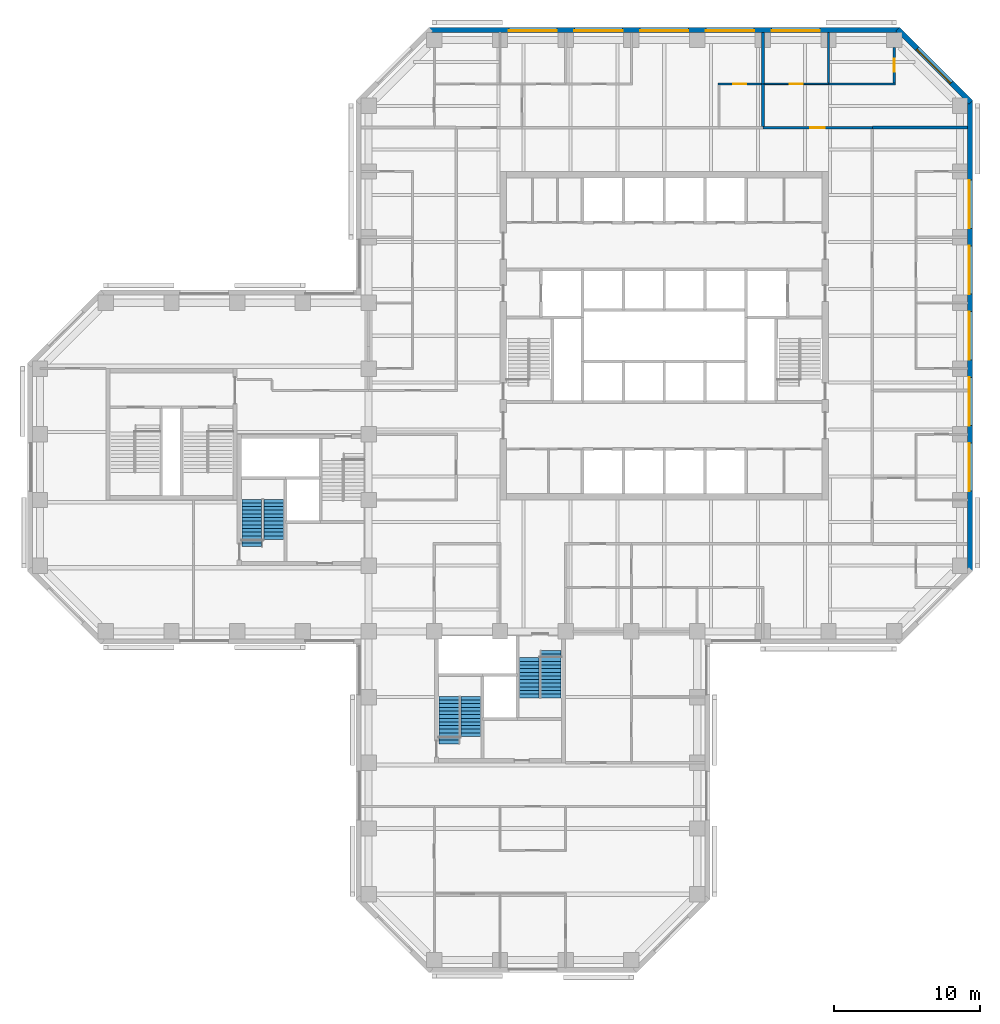
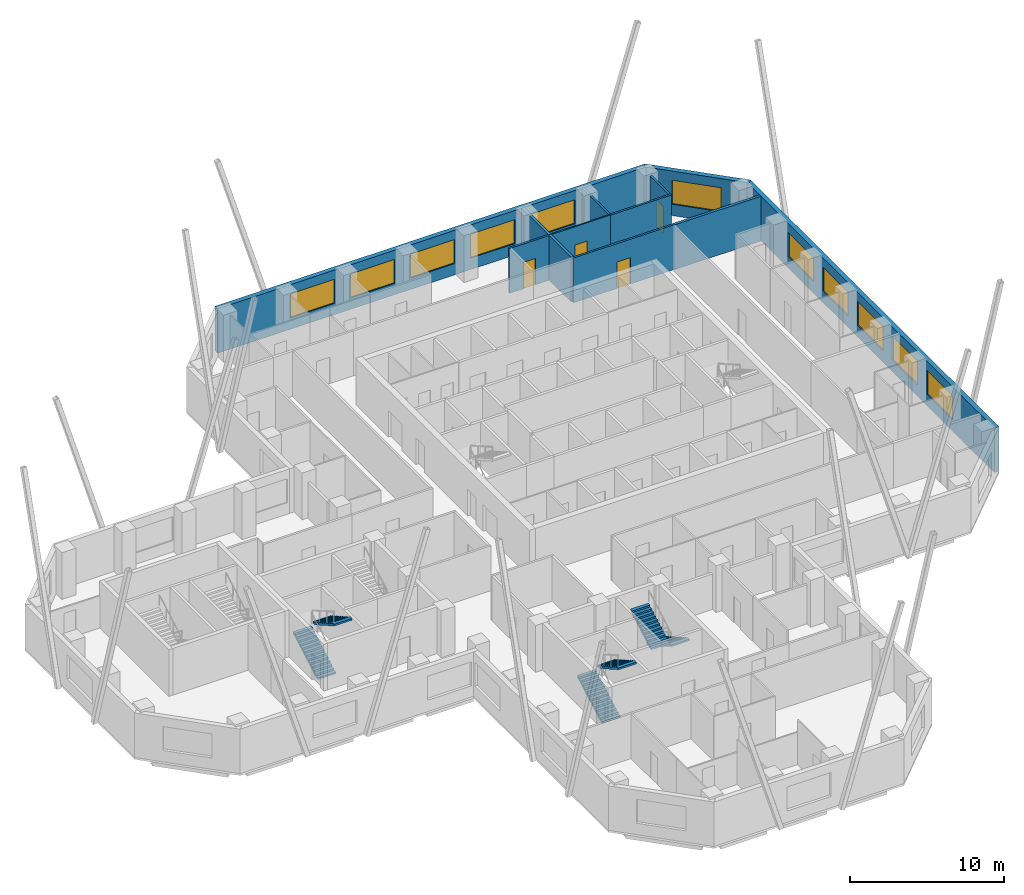
# One storey, part 9 of 11: 12 walls, 11 windows, 6 stair flights, 4 doors, 15 openings, 3 elements without a shape of their own.
"""IFC4 building model written with IfcOpenShell, lengths in metres."""

from ifc_helpers import new_model, si_unit, direction, frame, frame_2d, origin, place, context, subcontext, project, spatial, polyline, rectangle, outline, extrude, material, layer, layer_set, constituent, constituent_set, type_object, element, fill, aggregate, save


model = new_model("IFC4")

# Units and contexts
model_context = context("Model", 3, precision=1e-05, world=origin(), true_north=direction((0.0, 1.0)))
body_context = subcontext(model_context, "Body", "Model", "MODEL_VIEW")
ifc_project = project(units=[si_unit("LENGTHUNIT", "METRE"), si_unit("AREAUNIT", "SQUARE_METRE"), si_unit("VOLUMEUNIT", "CUBIC_METRE"), si_unit("PLANEANGLEUNIT", "RADIAN"), si_unit("MASSUNIT", "GRAM", prefix="KILO")], contexts=[model_context])

# Site, building, storey
site_placement = place(None, origin())
site = spatial("IfcSite", under=ifc_project, at=site_placement, CompositionType="ELEMENT")
building_placement = place(site_placement, origin())
building = spatial("IfcBuilding", under=site, at=building_placement, Name="Quoin Convention Tower", CompositionType="ELEMENT")
storey_placement = place(building_placement, frame((0.0, 0.0, 112.199951171875)))
storey = spatial("IfcBuildingStorey", under=building, at=storey_placement, Name="L29", CompositionType="ELEMENT", Elevation=112.199951171875)

# Walls
ifc_material_1 = material(Name="Plasterboard")
ifc_layer_1 = layer(ifc_material_1, 0.012451171875, Name="Finish")
ifc_material_2 = material(Name="Steel stud framing", Category="steel")
ifc_layer_2 = layer(ifc_material_2, 0.125, Name="Structure")
ifc_layer_3 = layer(ifc_material_1, 0.012451171875, Name="Finish")
ifc_layer_set_1 = layer_set([ifc_layer_1, ifc_layer_2, ifc_layer_3], Name="Steel stud framing")
wall_type_1 = type_object("IfcWallType", Name="Acoustic partition 150", PredefinedType="PARTITIONING", material=ifc_layer_set_1)
wall_1_placement = place(storey_placement, frame((67.5, 78.0, 0.0), z_axis=(0.0, 0.0, 1.0), x_axis=(1.0, 0.0, 0.0)))
element("IfcWall", 1, at=wall_1_placement, inside=storey, type_object=wall_type_1, Name="pw-L29-062", PredefinedType="PARTITIONING", context=body_context, shape_type="SweptSolid", body=[
    extrude(rectangle(XDim=4.574951171875, YDim=0.14990234375, at=frame_2d((2.28759765625, 0.0))), origin(), (0.0, 0.0, 1.0), 3.550048828125),
])
wall_2_placement = place(storey_placement, frame((67.5, 78.074951171875, 0.0), z_axis=(0.0, 0.0, 1.0), x_axis=(0.0, 1.0, 0.0)))
element("IfcWall", 2, at=wall_2_placement, inside=storey, type_object=wall_type_1, Name="pw-L29-119", PredefinedType="PARTITIONING", context=body_context, shape_type="SweptSolid", body=[
    extrude(rectangle(XDim=3.449951171875, YDim=0.14990234375, at=frame_2d((1.72509765625, 0.0))), origin(), (0.0, 0.0, 1.0), 3.550048828125),
])

# Wall, opening, door
wall_3_placement = place(storey_placement, frame((72.0, 78.074951171875, 0.0), z_axis=(0.0, 0.0, 1.0), x_axis=(0.0, 1.0, 0.0)))
wall_3 = element("IfcWall", 3, at=wall_3_placement, inside=storey, type_object=wall_type_1, Name="pw-L29-120", PredefinedType="PARTITIONING", context=body_context, shape_type="SweptSolid", body=[
    extrude(rectangle(XDim=2.400146484375, YDim=0.14990234375, at=frame_2d((1.2001953125, 0.0))), origin(), (0.0, 0.0, 1.0), 3.550048828125),
])
opening_1_placement = place(wall_3_placement, frame((0.75, 0.0, 0.0)))
opening_1 = element("IfcOpeningElement", 4, at=opening_1_placement, cuts=wall_3, Name="Opening DOL5-38", PredefinedType="OPENING", context=body_context, shape_type="SweptSolid", body=[
    extrude(rectangle(XDim=0.89990234375, YDim=2.10009765625, at=frame_2d((0.449951171875, 1.050048828125))), frame((0.0, 0.0849609375, 0.0), z_axis=(0.0, -1.0, 0.0), x_axis=(1.0, 0.0, 0.0)), (0.0, 0.0, 1.0), 0.169921875),
])
ifc_material_3 = material(Name="Steel door leaf", Category="steel")
door_type_1 = type_object("IfcDoorType", Name="Office door 900 x 2100", OperationType="SINGLE_SWING_RIGHT", PredefinedType="DOOR", material=ifc_material_3)
door_1_placement = place(opening_1_placement, frame((0.89990234375, 0.0, 0.0), z_axis=(0.0, 0.0, 1.0), x_axis=(-1.0, 0.0, 0.0)))
door_1 = element("IfcDoor", 5, at=door_1_placement, inside=storey, type_object=door_type_1, Name="dr-L29-48", OperationType="SINGLE_SWING_LEFT", OverallHeight=2.10009765625, OverallWidth=0.89990234375, PredefinedType="DOOR", context=body_context, shape_type="SweptSolid", body=[
    extrude(rectangle(XDim=0.89990234375, YDim=2.10009765625, at=frame_2d((0.449951171875, 1.050048828125))), frame((0.0, 0.02490234375, 0.0), z_axis=(0.0, -1.0, 0.0), x_axis=(1.0, 0.0, 0.0)), (0.0, 0.0, 1.0), 0.050048828125),
])
fill(opening_1, door_1)

# Wall, openings, windows
ifc_material_4 = material(Name="Brick masonry", Category="masonry")
ifc_layer_4 = layer(ifc_material_4, 0.35009765625)
ifc_layer_set_2 = layer_set([ifc_layer_4], Name="Brick masonry")
wall_type_2 = type_object("IfcWallType", Name="Brick facade wall", PredefinedType="STANDARD", material=ifc_layer_set_2)
wall_4_placement = place(storey_placement, frame((77.199951171875, 44.6376953125, 0.0), z_axis=(0.0, 0.0, 1.0), x_axis=(0.0, 1.0, 0.0)))
wall_4 = element("IfcWall", 6, at=wall_4_placement, inside=storey, type_object=wall_type_2, Name="fw-L29-76500_45000", PredefinedType="STANDARD", context=body_context, shape_type="SweptSolid", body=[
    extrude(rectangle(XDim=32.224609375, YDim=0.35009765625, at=frame_2d((16.1123046875, 0.0))), origin(), (0.0, 0.0, 1.0), 3.525146484375),
])
opening_2_placement = place(wall_4_placement, frame((5.46240234375, 0.0, 0.89990234375)))
opening_2 = element("IfcOpeningElement", 7, at=opening_2_placement, cuts=wall_4, Name="Opening W-02", PredefinedType="OPENING", context=body_context, shape_type="SweptSolid", body=[
    extrude(rectangle(XDim=3.300048828125, YDim=1.89990234375, at=frame_2d((1.64990234375, 0.949951171875))), frame((0.0, 0.18505859375, 0.0), z_axis=(0.0, -1.0, 0.0), x_axis=(1.0, 0.0, 0.0)), (0.0, 0.0, 1.0), 0.3701171875),
])
opening_3_placement = place(wall_4_placement, frame((9.96240234375, 0.0, 0.89990234375)))
opening_3 = element("IfcOpeningElement", 8, at=opening_3_placement, cuts=wall_4, Name="Opening W-02", PredefinedType="OPENING", context=body_context, shape_type="SweptSolid", body=[
    extrude(rectangle(XDim=3.300048828125, YDim=1.89990234375, at=frame_2d((1.64990234375, 0.949951171875))), frame((0.0, 0.18505859375, 0.0), z_axis=(0.0, -1.0, 0.0), x_axis=(1.0, 0.0, 0.0)), (0.0, 0.0, 1.0), 0.3701171875),
])
opening_4_placement = place(wall_4_placement, frame((14.46240234375, 0.0, 0.89990234375)))
opening_4 = element("IfcOpeningElement", 9, at=opening_4_placement, cuts=wall_4, Name="Opening W-02", PredefinedType="OPENING", context=body_context, shape_type="SweptSolid", body=[
    extrude(rectangle(XDim=3.300048828125, YDim=1.89990234375, at=frame_2d((1.64990234375, 0.949951171875))), frame((0.0, 0.18505859375, 0.0), z_axis=(0.0, -1.0, 0.0), x_axis=(1.0, 0.0, 0.0)), (0.0, 0.0, 1.0), 0.3701171875),
])
opening_5_placement = place(wall_4_placement, frame((18.96240234375, 0.0, 0.89990234375)))
opening_5 = element("IfcOpeningElement", 10, at=opening_5_placement, cuts=wall_4, Name="Opening W-02", PredefinedType="OPENING", context=body_context, shape_type="SweptSolid", body=[
    extrude(rectangle(XDim=3.300048828125, YDim=1.89990234375, at=frame_2d((1.64990234375, 0.949951171875))), frame((0.0, 0.18505859375, 0.0), z_axis=(0.0, -1.0, 0.0), x_axis=(1.0, 0.0, 0.0)), (0.0, 0.0, 1.0), 0.3701171875),
])
opening_6_placement = place(wall_4_placement, frame((23.46240234375, 0.0, 0.89990234375)))
opening_6 = element("IfcOpeningElement", 11, at=opening_6_placement, cuts=wall_4, Name="Opening W-02", PredefinedType="OPENING", context=body_context, shape_type="SweptSolid", body=[
    extrude(rectangle(XDim=3.300048828125, YDim=1.89990234375, at=frame_2d((1.64990234375, 0.949951171875))), frame((0.0, 0.18505859375, 0.0), z_axis=(0.0, -1.0, 0.0), x_axis=(1.0, 0.0, 0.0)), (0.0, 0.0, 1.0), 0.3701171875),
])
ifc_material_5 = material(Name="Aluminium", Category="aluminium")
ifc_constituent_1 = constituent(ifc_material_5, Name="Frame")
ifc_material_6 = material(Name="Insulated glass", Category="glass")
ifc_constituent_2 = constituent(ifc_material_6, Name="Glazing")
ifc_constituent_set = constituent_set(constituents=[ifc_constituent_1, ifc_constituent_2], Name="Aluminium")
window_type = type_object("IfcWindowType", Name="Office window", PartitioningType="DOUBLE_PANEL_VERTICAL", PredefinedType="WINDOW", material=ifc_constituent_set)
window_1_placement = place(opening_2_placement, origin())
window_1 = element("IfcWindow", 12, at=window_1_placement, inside=storey, type_object=window_type, Name="win-L29-77200_51750", OverallHeight=1.89990234375, OverallWidth=3.300048828125, PartitioningType="SINGLE_PANEL", PredefinedType="WINDOW", context=body_context, shape_type="SweptSolid", body=[
    extrude(rectangle(XDim=3.300048828125, YDim=1.89990234375, at=frame_2d((1.64990234375, 0.949951171875))), frame((0.0, 0.0849609375, 0.0), z_axis=(0.0, -1.0, 0.0), x_axis=(1.0, 0.0, 0.0)), (0.0, 0.0, 1.0), 0.06005859375),
])
fill(opening_2, window_1)
window_2_placement = place(opening_3_placement, origin())
window_2 = element("IfcWindow", 13, at=window_2_placement, inside=storey, type_object=window_type, Name="win-L29-77200_56250", OverallHeight=1.89990234375, OverallWidth=3.300048828125, PartitioningType="SINGLE_PANEL", PredefinedType="WINDOW", context=body_context, shape_type="SweptSolid", body=[
    extrude(rectangle(XDim=3.300048828125, YDim=1.89990234375, at=frame_2d((1.64990234375, 0.949951171875))), frame((0.0, 0.0849609375, 0.0), z_axis=(0.0, -1.0, 0.0), x_axis=(1.0, 0.0, 0.0)), (0.0, 0.0, 1.0), 0.06005859375),
])
fill(opening_3, window_2)
window_3_placement = place(opening_4_placement, origin())
window_3 = element("IfcWindow", 14, at=window_3_placement, inside=storey, type_object=window_type, Name="win-L29-77200_60750", OverallHeight=1.89990234375, OverallWidth=3.300048828125, PartitioningType="SINGLE_PANEL", PredefinedType="WINDOW", context=body_context, shape_type="SweptSolid", body=[
    extrude(rectangle(XDim=3.300048828125, YDim=1.89990234375, at=frame_2d((1.64990234375, 0.949951171875))), frame((0.0, 0.0849609375, 0.0), z_axis=(0.0, -1.0, 0.0), x_axis=(1.0, 0.0, 0.0)), (0.0, 0.0, 1.0), 0.06005859375),
])
fill(opening_4, window_3)
window_4_placement = place(opening_5_placement, origin())
window_4 = element("IfcWindow", 15, at=window_4_placement, inside=storey, type_object=window_type, Name="win-L29-77200_65250", OverallHeight=1.89990234375, OverallWidth=3.300048828125, PartitioningType="SINGLE_PANEL", PredefinedType="WINDOW", context=body_context, shape_type="SweptSolid", body=[
    extrude(rectangle(XDim=3.300048828125, YDim=1.89990234375, at=frame_2d((1.64990234375, 0.949951171875))), frame((0.0, 0.0849609375, 0.0), z_axis=(0.0, -1.0, 0.0), x_axis=(1.0, 0.0, 0.0)), (0.0, 0.0, 1.0), 0.06005859375),
])
fill(opening_5, window_4)
window_5_placement = place(opening_6_placement, origin())
window_5 = element("IfcWindow", 16, at=window_5_placement, inside=storey, type_object=window_type, Name="win-L29-77200_69750", OverallHeight=1.89990234375, OverallWidth=3.300048828125, PartitioningType="SINGLE_PANEL", PredefinedType="WINDOW", context=body_context, shape_type="SweptSolid", body=[
    extrude(rectangle(XDim=3.300048828125, YDim=1.89990234375, at=frame_2d((1.64990234375, 0.949951171875))), frame((0.0, 0.0849609375, 0.0), z_axis=(0.0, -1.0, 0.0), x_axis=(1.0, 0.0, 0.0)), (0.0, 0.0, 1.0), 0.06005859375),
])
fill(opening_6, window_5)

# Wall, opening, window
wall_5_placement = place(storey_placement, frame((77.251220703125, 76.73876953125, 0.0), z_axis=(0.0, 0.0, 1.0), x_axis=(-0.707106781187, 0.707106781187, 0.0)))
wall_5 = element("IfcWall", 17, at=wall_5_placement, inside=storey, type_object=wall_type_2, Name="fw-L29-76500_76500", PredefinedType="STANDARD", context=body_context, shape_type="SweptSolid", body=[
    extrude(rectangle(XDim=7.088623046875, YDim=0.35009765625, at=frame_2d((3.54443359375, 0.0))), origin(), (0.0, 0.0, 1.0), 3.525146484375),
])
opening_7_placement = place(wall_5_placement, frame((1.894287109375, 0.0, 0.89990234375)))
opening_7 = element("IfcOpeningElement", 18, at=opening_7_placement, cuts=wall_5, Name="Opening W-02", PredefinedType="OPENING", context=body_context, shape_type="SweptSolid", body=[
    extrude(rectangle(XDim=3.300048828125, YDim=1.89990234375, at=frame_2d((1.64990234375, 0.949951171875))), frame((0.0, 0.18505859375, 0.0), z_axis=(0.0, -1.0, 0.0), x_axis=(1.0, 0.0, 0.0)), (0.0, 0.0, 1.0), 0.3701171875),
])
window_6_placement = place(opening_7_placement, origin())
window_6 = element("IfcWindow", 19, at=window_6_placement, inside=storey, type_object=window_type, Name="win-L29-74745_79245", OverallHeight=1.89990234375, OverallWidth=3.300048828125, PartitioningType="SINGLE_PANEL", PredefinedType="WINDOW", context=body_context, shape_type="SweptSolid", body=[
    extrude(rectangle(XDim=3.300048828125, YDim=1.89990234375, at=frame_2d((1.64990234375, 0.949951171875))), frame((0.0, 0.0849609375, 0.0), z_axis=(0.0, -1.0, 0.0), x_axis=(1.0, 0.0, 0.0)), (0.0, 0.0, 1.0), 0.06005859375),
])
fill(opening_7, window_6)

# Wall, openings, windows
wall_6_placement = place(storey_placement, frame((72.3623046875, 81.699951171875, 0.0), z_axis=(0.0, 0.0, 1.0), x_axis=(-1.0, 0.0, 0.0)))
wall_6 = element("IfcWall", 20, at=wall_6_placement, inside=storey, type_object=wall_type_2, Name="fw-L29-72000_81000", PredefinedType="STANDARD", context=body_context, shape_type="SweptSolid", body=[
    extrude(rectangle(XDim=32.224609375, YDim=0.35009765625, at=frame_2d((16.1123046875, 0.0))), origin(), (0.0, 0.0, 1.0), 3.525146484375),
])
opening_8_placement = place(wall_6_placement, frame((5.46240234375, 0.0, 0.89990234375)))
opening_8 = element("IfcOpeningElement", 21, at=opening_8_placement, cuts=wall_6, Name="Opening W-02", PredefinedType="OPENING", context=body_context, shape_type="SweptSolid", body=[
    extrude(rectangle(XDim=3.300048828125, YDim=1.89990234375, at=frame_2d((1.64990234375, 0.949951171875))), frame((0.0, 0.18505859375, 0.0), z_axis=(0.0, -1.0, 0.0), x_axis=(1.0, 0.0, 0.0)), (0.0, 0.0, 1.0), 0.3701171875),
])
opening_9_placement = place(wall_6_placement, frame((9.96240234375, 0.0, 0.89990234375)))
opening_9 = element("IfcOpeningElement", 22, at=opening_9_placement, cuts=wall_6, Name="Opening W-02", PredefinedType="OPENING", context=body_context, shape_type="SweptSolid", body=[
    extrude(rectangle(XDim=3.300048828125, YDim=1.89990234375, at=frame_2d((1.64990234375, 0.949951171875))), frame((0.0, 0.18505859375, 0.0), z_axis=(0.0, -1.0, 0.0), x_axis=(1.0, 0.0, 0.0)), (0.0, 0.0, 1.0), 0.3701171875),
])
opening_10_placement = place(wall_6_placement, frame((14.46240234375, 0.0, 0.89990234375)))
opening_10 = element("IfcOpeningElement", 23, at=opening_10_placement, cuts=wall_6, Name="Opening W-02", PredefinedType="OPENING", context=body_context, shape_type="SweptSolid", body=[
    extrude(rectangle(XDim=3.300048828125, YDim=1.89990234375, at=frame_2d((1.64990234375, 0.949951171875))), frame((0.0, 0.18505859375, 0.0), z_axis=(0.0, -1.0, 0.0), x_axis=(1.0, 0.0, 0.0)), (0.0, 0.0, 1.0), 0.3701171875),
])
opening_11_placement = place(wall_6_placement, frame((18.96240234375, 0.0, 0.89990234375)))
opening_11 = element("IfcOpeningElement", 24, at=opening_11_placement, cuts=wall_6, Name="Opening W-02", PredefinedType="OPENING", context=body_context, shape_type="SweptSolid", body=[
    extrude(rectangle(XDim=3.300048828125, YDim=1.89990234375, at=frame_2d((1.64990234375, 0.949951171875))), frame((0.0, 0.18505859375, 0.0), z_axis=(0.0, -1.0, 0.0), x_axis=(1.0, 0.0, 0.0)), (0.0, 0.0, 1.0), 0.3701171875),
])
opening_12_placement = place(wall_6_placement, frame((23.46240234375, 0.0, 0.89990234375)))
opening_12 = element("IfcOpeningElement", 25, at=opening_12_placement, cuts=wall_6, Name="Opening W-02", PredefinedType="OPENING", context=body_context, shape_type="SweptSolid", body=[
    extrude(rectangle(XDim=3.300048828125, YDim=1.89990234375, at=frame_2d((1.64990234375, 0.949951171875))), frame((0.0, 0.18505859375, 0.0), z_axis=(0.0, -1.0, 0.0), x_axis=(1.0, 0.0, 0.0)), (0.0, 0.0, 1.0), 0.3701171875),
])
window_7_placement = place(opening_8_placement, origin())
window_7 = element("IfcWindow", 26, at=window_7_placement, inside=storey, type_object=window_type, Name="win-L29-65250_81700", OverallHeight=1.89990234375, OverallWidth=3.300048828125, PartitioningType="SINGLE_PANEL", PredefinedType="WINDOW", context=body_context, shape_type="SweptSolid", body=[
    extrude(rectangle(XDim=3.300048828125, YDim=1.89990234375, at=frame_2d((1.64990234375, 0.949951171875))), frame((0.0, 0.0849609375, 0.0), z_axis=(0.0, -1.0, 0.0), x_axis=(1.0, 0.0, 0.0)), (0.0, 0.0, 1.0), 0.06005859375),
])
fill(opening_8, window_7)
window_8_placement = place(opening_9_placement, origin())
window_8 = element("IfcWindow", 27, at=window_8_placement, inside=storey, type_object=window_type, Name="win-L29-60750_81700", OverallHeight=1.89990234375, OverallWidth=3.300048828125, PartitioningType="SINGLE_PANEL", PredefinedType="WINDOW", context=body_context, shape_type="SweptSolid", body=[
    extrude(rectangle(XDim=3.300048828125, YDim=1.89990234375, at=frame_2d((1.64990234375, 0.949951171875))), frame((0.0, 0.0849609375, 0.0), z_axis=(0.0, -1.0, 0.0), x_axis=(1.0, 0.0, 0.0)), (0.0, 0.0, 1.0), 0.06005859375),
])
fill(opening_9, window_8)
window_9_placement = place(opening_10_placement, origin())
window_9 = element("IfcWindow", 28, at=window_9_placement, inside=storey, type_object=window_type, Name="win-L29-56250_81700", OverallHeight=1.89990234375, OverallWidth=3.300048828125, PartitioningType="SINGLE_PANEL", PredefinedType="WINDOW", context=body_context, shape_type="SweptSolid", body=[
    extrude(rectangle(XDim=3.300048828125, YDim=1.89990234375, at=frame_2d((1.64990234375, 0.949951171875))), frame((0.0, 0.0849609375, 0.0), z_axis=(0.0, -1.0, 0.0), x_axis=(1.0, 0.0, 0.0)), (0.0, 0.0, 1.0), 0.06005859375),
])
fill(opening_10, window_9)
window_10_placement = place(opening_11_placement, origin())
window_10 = element("IfcWindow", 29, at=window_10_placement, inside=storey, type_object=window_type, Name="win-L29-51750_81700", OverallHeight=1.89990234375, OverallWidth=3.300048828125, PartitioningType="SINGLE_PANEL", PredefinedType="WINDOW", context=body_context, shape_type="SweptSolid", body=[
    extrude(rectangle(XDim=3.300048828125, YDim=1.89990234375, at=frame_2d((1.64990234375, 0.949951171875))), frame((0.0, 0.0849609375, 0.0), z_axis=(0.0, -1.0, 0.0), x_axis=(1.0, 0.0, 0.0)), (0.0, 0.0, 1.0), 0.06005859375),
])
fill(opening_11, window_10)
window_11_placement = place(opening_12_placement, origin())
window_11 = element("IfcWindow", 30, at=window_11_placement, inside=storey, type_object=window_type, Name="win-L29-47250_81700", OverallHeight=1.89990234375, OverallWidth=3.300048828125, PartitioningType="SINGLE_PANEL", PredefinedType="WINDOW", context=body_context, shape_type="SweptSolid", body=[
    extrude(rectangle(XDim=3.300048828125, YDim=1.89990234375, at=frame_2d((1.64990234375, 0.949951171875))), frame((0.0, 0.0849609375, 0.0), z_axis=(0.0, -1.0, 0.0), x_axis=(1.0, 0.0, 0.0)), (0.0, 0.0, 1.0), 0.06005859375),
])
fill(opening_12, window_11)

# Wall, opening, door
ifc_layer_5 = layer(ifc_material_1, 0.012451171875, Name="Finish")
ifc_layer_6 = layer(ifc_material_2, 0.125, Name="Structure")
ifc_layer_7 = layer(ifc_material_1, 0.012451171875, Name="Finish")
ifc_layer_set_3 = layer_set([ifc_layer_5, ifc_layer_6, ifc_layer_7], Name="Steel stud framing")
wall_type_3 = type_object("IfcWallType", Name="Corridor wall 150", PredefinedType="PARTITIONING", material=ifc_layer_set_3)
wall_7_placement = place(storey_placement, frame((63.0, 75.0, 0.0), z_axis=(0.0, 0.0, 1.0), x_axis=(1.0, 0.0, 0.0)))
wall_7 = element("IfcWall", 31, at=wall_7_placement, inside=storey, type_object=wall_type_3, Name="pw-L29-054", PredefinedType="PARTITIONING", context=body_context, shape_type="SweptSolid", body=[
    extrude(rectangle(XDim=7.5, YDim=0.14990234375, at=frame_2d((3.75, 0.0))), origin(), (0.0, 0.0, 1.0), 3.550048828125),
])
opening_13_placement = place(wall_7_placement, frame((3.25, 0.0, 0.0)))
opening_13 = element("IfcOpeningElement", 32, at=opening_13_placement, cuts=wall_7, Name="Opening DOL5-18", PredefinedType="OPENING", context=body_context, shape_type="SweptSolid", body=[
    extrude(rectangle(XDim=1.0, YDim=2.10009765625, at=frame_2d((0.5, 1.050048828125))), frame((0.0, 0.0849609375, 0.0), z_axis=(0.0, -1.0, 0.0), x_axis=(1.0, 0.0, 0.0)), (0.0, 0.0, 1.0), 0.169921875),
])
door_type_2 = type_object("IfcDoorType", Name="Tenancy entrance door 1000 x 2100", OperationType="DOUBLE_DOOR_SINGLE_SWING", PredefinedType="DOOR", material=ifc_material_3)
door_2_placement = place(opening_13_placement, origin())
door_2 = element("IfcDoor", 33, at=door_2_placement, inside=storey, type_object=door_type_2, Name="dr-L29-46", OperationType="DOUBLE_DOOR_SINGLE_SWING", OverallHeight=2.10009765625, OverallWidth=1.0, PredefinedType="DOOR", context=body_context, shape_type="SweptSolid", body=[
    extrude(rectangle(XDim=1.0, YDim=2.10009765625, at=frame_2d((0.5, 1.050048828125))), frame((0.0, 0.02490234375, 0.0), z_axis=(0.0, -1.0, 0.0), x_axis=(1.0, 0.0, 0.0)), (0.0, 0.0, 1.0), 0.050048828125),
])
fill(opening_13, door_2)

ifc_layer_8 = layer(ifc_material_1, 0.012451171875, Name="Finish")
ifc_layer_9 = layer(ifc_material_2, 0.074951171875, Name="Structure")
ifc_layer_10 = layer(ifc_material_1, 0.012451171875, Name="Finish")
ifc_layer_set_4 = layer_set([ifc_layer_8, ifc_layer_9, ifc_layer_10], Name="Steel stud framing")
wall_type_4 = type_object("IfcWallType", Name="Stud partition 100", PredefinedType="PARTITIONING", material=ifc_layer_set_4)
wall_8_placement = place(storey_placement, frame((63.10009765625, 78.0, 0.0), z_axis=(0.0, 0.0, 1.0), x_axis=(1.0, 0.0, 0.0)))
wall_8 = element("IfcWall", 34, at=wall_8_placement, inside=storey, type_object=wall_type_4, Name="pw-L29-061", PredefinedType="PARTITIONING", context=body_context, shape_type="SweptSolid", body=[
    extrude(rectangle(XDim=4.39990234375, YDim=0.10009765625, at=frame_2d((2.199951171875, 0.0))), origin(), (0.0, 0.0, 1.0), 3.550048828125),
])
opening_14_placement = place(wall_8_placement, frame((1.75, 0.0, 0.0)))
opening_14 = element("IfcOpeningElement", 35, at=opening_14_placement, cuts=wall_8, Name="Opening DOL5-23", PredefinedType="OPENING", context=body_context, shape_type="SweptSolid", body=[
    extrude(rectangle(XDim=0.89990234375, YDim=2.10009765625, at=frame_2d((0.449951171875, 1.050048828125))), frame((0.0, 0.06005859375, 0.0), z_axis=(0.0, -1.0, 0.0), x_axis=(1.0, 0.0, 0.0)), (0.0, 0.0, 1.0), 0.1201171875),
])
door_3_placement = place(opening_14_placement, frame((0.89990234375, 0.0, 0.0), z_axis=(0.0, 0.0, 1.0), x_axis=(-1.0, 0.0, 0.0)))
door_3 = element("IfcDoor", 36, at=door_3_placement, inside=storey, type_object=door_type_1, Name="dr-L29-47", OperationType="SINGLE_SWING_LEFT", OverallHeight=2.10009765625, OverallWidth=0.89990234375, PredefinedType="DOOR", context=body_context, shape_type="SweptSolid", body=[
    extrude(rectangle(XDim=0.89990234375, YDim=2.10009765625, at=frame_2d((0.449951171875, 1.050048828125))), frame((0.0, 0.02490234375, 0.0), z_axis=(0.0, -1.0, 0.0), x_axis=(1.0, 0.0, 0.0)), (0.0, 0.0, 1.0), 0.050048828125),
])
fill(opening_14, door_3)

# Walls
ifc_layer_11 = layer(ifc_material_1, 0.012451171875, Name="Finish")
ifc_layer_12 = layer(ifc_material_2, 0.175048828125, Name="Structure")
ifc_layer_13 = layer(ifc_material_1, 0.012451171875, Name="Finish")
ifc_layer_set_5 = layer_set([ifc_layer_11, ifc_layer_12, ifc_layer_13], Name="Steel stud framing")
wall_type_5 = type_object("IfcWallType", Name="Tenancy demising wall 200", PredefinedType="PARTITIONING", material=ifc_layer_set_5)
wall_9_placement = place(storey_placement, frame((70.5, 75.0, 0.0), z_axis=(0.0, 0.0, 1.0), x_axis=(1.0, 0.0, 0.0)))
element("IfcWall", 37, at=wall_9_placement, inside=storey, type_object=wall_type_5, Name="pw-L29-055", PredefinedType="PARTITIONING", context=body_context, shape_type="SweptSolid", body=[
    extrude(rectangle(XDim=6.52490234375, YDim=0.199951171875, at=frame_2d((3.262451171875, 0.0))), origin(), (0.0, 0.0, 1.0), 3.550048828125),
])
wall_10_placement = place(storey_placement, frame((63.0, 75.074951171875, 0.0), z_axis=(0.0, 0.0, 1.0), x_axis=(0.0, 1.0, 0.0)))
element("IfcWall", 38, at=wall_10_placement, inside=storey, type_object=wall_type_5, Name="pw-L29-112", PredefinedType="PARTITIONING", context=body_context, shape_type="SweptSolid", body=[
    extrude(rectangle(XDim=2.925048828125, YDim=0.199951171875, at=frame_2d((1.46240234375, 0.0))), origin(), (0.0, 0.0, 1.0), 3.550048828125),
])
wall_11_placement = place(storey_placement, frame((63.0, 78.0, 0.0), z_axis=(0.0, 0.0, 1.0), x_axis=(0.0, 1.0, 0.0)))
element("IfcWall", 39, at=wall_11_placement, inside=storey, type_object=wall_type_5, Name="pw-L29-115", PredefinedType="PARTITIONING", context=body_context, shape_type="SweptSolid", body=[
    extrude(rectangle(XDim=3.52490234375, YDim=0.199951171875, at=frame_2d((1.762451171875, 0.0))), origin(), (0.0, 0.0, 1.0), 3.550048828125),
])

# Wall, opening, door
ifc_layer_14 = layer(ifc_material_1, 0.012451171875, Name="Finish")
ifc_layer_15 = layer(ifc_material_2, 0.125, Name="Structure")
ifc_layer_16 = layer(ifc_material_1, 0.012451171875, Name="Finish")
ifc_layer_set_6 = layer_set([ifc_layer_14, ifc_layer_15, ifc_layer_16], Name="Steel stud framing")
wall_type_6 = type_object("IfcWallType", Name="Wet area partition 150", PredefinedType="PARTITIONING", material=ifc_layer_set_6)
wall_12_placement = place(storey_placement, frame((59.925048828125, 78.0, 0.0), z_axis=(0.0, 0.0, 1.0), x_axis=(1.0, 0.0, 0.0)))
wall_12 = element("IfcWall", 40, at=wall_12_placement, inside=storey, type_object=wall_type_6, Name="pw-L29-060", PredefinedType="PARTITIONING", context=body_context, shape_type="SweptSolid", body=[
    extrude(rectangle(XDim=2.974853515625, YDim=0.14990234375, at=frame_2d((1.4873046875, 0.0))), origin(), (0.0, 0.0, 1.0), 3.550048828125),
])
opening_15_placement = place(wall_12_placement, frame((1.050048828125, 0.0, 0.0)))
opening_15 = element("IfcOpeningElement", 41, at=opening_15_placement, cuts=wall_12, Name="Opening DOL5-22", PredefinedType="OPENING", context=body_context, shape_type="SweptSolid", body=[
    extrude(rectangle(XDim=0.89990234375, YDim=2.10009765625, at=frame_2d((0.449951171875, 1.050048828125))), frame((0.0, 0.0849609375, 0.0), z_axis=(0.0, -1.0, 0.0), x_axis=(1.0, 0.0, 0.0)), (0.0, 0.0, 1.0), 0.169921875),
])
door_4_placement = place(opening_15_placement, origin())
door_4 = element("IfcDoor", 42, at=door_4_placement, inside=storey, type_object=door_type_1, Name="dr-L29-36", OperationType="SINGLE_SWING_RIGHT", OverallHeight=2.10009765625, OverallWidth=0.89990234375, PredefinedType="DOOR", context=body_context, shape_type="SweptSolid", body=[
    extrude(rectangle(XDim=0.89990234375, YDim=2.10009765625, at=frame_2d((0.449951171875, 1.050048828125))), frame((0.0, 0.02490234375, 0.0), z_axis=(0.0, -1.0, 0.0), x_axis=(1.0, 0.0, 0.0)), (0.0, 0.0, 1.0), 0.050048828125),
])
fill(opening_15, door_4)

# Stair, stair flights
ifc_material_7 = material(Name="Concrete C40", Category="concrete")
stair_type = type_object("IfcStairType", Name="Exit stair two-flight 1350", PredefinedType="HALF_TURN_STAIR", material=ifc_material_7)
stair_1_placement = place(storey_placement, origin())
stair_1 = element("IfcStair", 43, at=stair_1_placement, inside=storey, type_object=stair_type, Name="SD3 L29", PredefinedType="HALF_TURN_STAIR")
stair_flight_type = type_object("IfcStairFlightType", Name="Stair flight 1350", PredefinedType="STRAIGHT", material=ifc_material_7)
stair_flight_1_placement = place(storey_placement, frame((28.0, 46.300048828125, 0.0), z_axis=(0.0, 0.0, 1.0), x_axis=(0.0, 1.0, 0.0)))
stair_flight_1 = element("IfcStairFlight", 44, at=stair_flight_1_placement, type_object=stair_flight_type, Name="ST3 flight 1", NumberOfRisers=14, NumberOfTreads=13, PredefinedType="STRAIGHT", RiserHeight=0.142307692, TreadLength=0.25, context=body_context, shape_type="SweptSolid", body=[
    extrude(outline(polyline([(0.0, 0.0), (0.0, 0.142333984375), (0.25, 0.142333984375), (0.25, 0.28466796875), (0.5, 0.28466796875), (0.5, 0.427001953125), (0.75, 0.427001953125), (0.75, 0.5693359375), (1.0, 0.5693359375), (1.0, 0.71142578125), (1.25, 0.71142578125), (1.25, 0.853759765625), (1.5, 0.853759765625), (1.5, 0.99609375), (1.75, 0.99609375), (1.75, 1.138427734375), (2.0, 1.138427734375), (2.0, 1.28076171875), (2.25, 1.28076171875), (2.25, 1.423095703125), (2.5, 1.423095703125), (2.5, 1.5654296875), (2.75, 1.5654296875), (2.75, 1.707763671875), (3.0, 1.707763671875), (3.0, 1.85009765625), (3.25, 1.85009765625), (3.25, 1.9921875), (3.25, 1.711669921875), (0.242919921875, 0.0), (0.0, 0.0)])), frame((0.0, 0.675048828125, 0.0), z_axis=(0.0, -1.0, 0.0), x_axis=(1.0, 0.0, 0.0)), (0.0, 0.0, 1.0), 1.35009765625),
])
stair_flight_2_placement = place(storey_placement, frame((29.5, 49.550048828125, 1.992431640625), z_axis=(0.0, 0.0, 1.0), x_axis=(0.0, -1.0, 0.0)))
stair_flight_2 = element("IfcStairFlight", 45, at=stair_flight_2_placement, type_object=stair_flight_type, Name="ST3 flight 2", NumberOfRisers=12, NumberOfTreads=11, PredefinedType="STRAIGHT", RiserHeight=0.142307692, TreadLength=0.25, context=body_context, shape_type="SweptSolid", body=[
    extrude(outline(polyline([(0.0, 0.0), (0.0, 0.142333984375), (0.25, 0.142333984375), (0.25, 0.28466796875), (0.5, 0.28466796875), (0.5, 0.427001953125), (0.75, 0.427001953125), (0.75, 0.5693359375), (1.0, 0.5693359375), (1.0, 0.71142578125), (1.25, 0.71142578125), (1.25, 0.853759765625), (1.5, 0.853759765625), (1.5, 0.99609375), (1.75, 0.99609375), (1.75, 1.138427734375), (2.0, 1.138427734375), (2.0, 1.28076171875), (2.25, 1.28076171875), (2.25, 1.423095703125), (2.5, 1.423095703125), (2.5, 1.5654296875), (2.75, 1.5654296875), (2.75, 1.707763671875), (2.75, 1.42724609375), (0.242919921875, 0.0), (0.0, 0.0)])), frame((0.0, 0.675048828125, 0.0), z_axis=(0.0, -1.0, 0.0), x_axis=(1.0, 0.0, 0.0)), (0.0, 0.0, 1.0), 1.35009765625),
])
aggregate(stair_1, [stair_flight_1, stair_flight_2])

stair_2_placement = place(storey_placement, origin())
stair_2 = element("IfcStair", 46, at=stair_2_placement, inside=storey, type_object=stair_type, Name="SD5 L29", PredefinedType="HALF_TURN_STAIR")
stair_flight_3_placement = place(storey_placement, frame((41.5, 32.800048828125, 0.0), z_axis=(0.0, 0.0, 1.0), x_axis=(0.0, 1.0, 0.0)))
stair_flight_3 = element("IfcStairFlight", 47, at=stair_flight_3_placement, type_object=stair_flight_type, Name="ST5 flight 1", NumberOfRisers=14, NumberOfTreads=13, PredefinedType="STRAIGHT", RiserHeight=0.142307692, TreadLength=0.25, context=body_context, shape_type="SweptSolid", body=[
    extrude(outline(polyline([(0.0, 0.0), (0.0, 0.142333984375), (0.25, 0.142333984375), (0.25, 0.28466796875), (0.5, 0.28466796875), (0.5, 0.427001953125), (0.75, 0.427001953125), (0.75, 0.5693359375), (1.0, 0.5693359375), (1.0, 0.71142578125), (1.25, 0.71142578125), (1.25, 0.853759765625), (1.5, 0.853759765625), (1.5, 0.99609375), (1.75, 0.99609375), (1.75, 1.138427734375), (2.0, 1.138427734375), (2.0, 1.28076171875), (2.25, 1.28076171875), (2.25, 1.423095703125), (2.5, 1.423095703125), (2.5, 1.5654296875), (2.75, 1.5654296875), (2.75, 1.707763671875), (3.0, 1.707763671875), (3.0, 1.85009765625), (3.25, 1.85009765625), (3.25, 1.9921875), (3.25, 1.711669921875), (0.242919921875, 0.0), (0.0, 0.0)])), frame((0.0, 0.675048828125, 0.0), z_axis=(0.0, -1.0, 0.0), x_axis=(1.0, 0.0, 0.0)), (0.0, 0.0, 1.0), 1.35009765625),
])
stair_flight_4_placement = place(storey_placement, frame((43.0, 36.050048828125, 1.992431640625), z_axis=(0.0, 0.0, 1.0), x_axis=(0.0, -1.0, 0.0)))
stair_flight_4 = element("IfcStairFlight", 48, at=stair_flight_4_placement, type_object=stair_flight_type, Name="ST5 flight 2", NumberOfRisers=12, NumberOfTreads=11, PredefinedType="STRAIGHT", RiserHeight=0.142307692, TreadLength=0.25, context=body_context, shape_type="SweptSolid", body=[
    extrude(outline(polyline([(0.0, 0.0), (0.0, 0.142333984375), (0.25, 0.142333984375), (0.25, 0.28466796875), (0.5, 0.28466796875), (0.5, 0.427001953125), (0.75, 0.427001953125), (0.75, 0.5693359375), (1.0, 0.5693359375), (1.0, 0.71142578125), (1.25, 0.71142578125), (1.25, 0.853759765625), (1.5, 0.853759765625), (1.5, 0.99609375), (1.75, 0.99609375), (1.75, 1.138427734375), (2.0, 1.138427734375), (2.0, 1.28076171875), (2.25, 1.28076171875), (2.25, 1.423095703125), (2.5, 1.423095703125), (2.5, 1.5654296875), (2.75, 1.5654296875), (2.75, 1.707763671875), (2.75, 1.42724609375), (0.242919921875, 0.0), (0.0, 0.0)])), frame((0.0, 0.675048828125, 0.0), z_axis=(0.0, -1.0, 0.0), x_axis=(1.0, 0.0, 0.0)), (0.0, 0.0, 1.0), 1.35009765625),
])
aggregate(stair_2, [stair_flight_3, stair_flight_4])

stair_3_placement = place(storey_placement, origin())
stair_3 = element("IfcStair", 49, at=stair_3_placement, inside=storey, type_object=stair_type, Name="SD6 L29", PredefinedType="HALF_TURN_STAIR")
stair_flight_5_placement = place(storey_placement, frame((48.5, 39.199951171875, 0.0), z_axis=(0.0, 0.0, 1.0), x_axis=(0.0, -1.0, 0.0)))
stair_flight_5 = element("IfcStairFlight", 50, at=stair_flight_5_placement, type_object=stair_flight_type, Name="ST6 flight 1", NumberOfRisers=14, NumberOfTreads=13, PredefinedType="STRAIGHT", RiserHeight=0.142307692, TreadLength=0.25, context=body_context, shape_type="SweptSolid", body=[
    extrude(outline(polyline([(0.0, 0.0), (0.0, 0.142333984375), (0.25, 0.142333984375), (0.25, 0.28466796875), (0.5, 0.28466796875), (0.5, 0.427001953125), (0.75, 0.427001953125), (0.75, 0.5693359375), (1.0, 0.5693359375), (1.0, 0.71142578125), (1.25, 0.71142578125), (1.25, 0.853759765625), (1.5, 0.853759765625), (1.5, 0.99609375), (1.75, 0.99609375), (1.75, 1.138427734375), (2.0, 1.138427734375), (2.0, 1.28076171875), (2.25, 1.28076171875), (2.25, 1.423095703125), (2.5, 1.423095703125), (2.5, 1.5654296875), (2.75, 1.5654296875), (2.75, 1.707763671875), (3.0, 1.707763671875), (3.0, 1.85009765625), (3.25, 1.85009765625), (3.25, 1.9921875), (3.25, 1.711669921875), (0.242919921875, 0.0), (0.0, 0.0)])), frame((0.0, 0.675048828125, 0.0), z_axis=(0.0, -1.0, 0.0), x_axis=(1.0, 0.0, 0.0)), (0.0, 0.0, 1.0), 1.35009765625),
])
stair_flight_6_placement = place(storey_placement, frame((47.0, 35.949951171875, 1.992431640625), z_axis=(0.0, 0.0, 1.0), x_axis=(0.0, 1.0, 0.0)))
stair_flight_6 = element("IfcStairFlight", 51, at=stair_flight_6_placement, type_object=stair_flight_type, Name="ST6 flight 2", NumberOfRisers=12, NumberOfTreads=11, PredefinedType="STRAIGHT", RiserHeight=0.142307692, TreadLength=0.25, context=body_context, shape_type="SweptSolid", body=[
    extrude(outline(polyline([(0.0, 0.0), (0.0, 0.142333984375), (0.25, 0.142333984375), (0.25, 0.28466796875), (0.5, 0.28466796875), (0.5, 0.427001953125), (0.75, 0.427001953125), (0.75, 0.5693359375), (1.0, 0.5693359375), (1.0, 0.71142578125), (1.25, 0.71142578125), (1.25, 0.853759765625), (1.5, 0.853759765625), (1.5, 0.99609375), (1.75, 0.99609375), (1.75, 1.138427734375), (2.0, 1.138427734375), (2.0, 1.28076171875), (2.25, 1.28076171875), (2.25, 1.423095703125), (2.5, 1.423095703125), (2.5, 1.5654296875), (2.75, 1.5654296875), (2.75, 1.707763671875), (2.75, 1.42724609375), (0.242919921875, 0.0), (0.0, 0.0)])), frame((0.0, 0.675048828125, 0.0), z_axis=(0.0, -1.0, 0.0), x_axis=(1.0, 0.0, 0.0)), (0.0, 0.0, 1.0), 1.35009765625),
])
aggregate(stair_3, [stair_flight_5, stair_flight_6])

save(model, "model.ifc")
